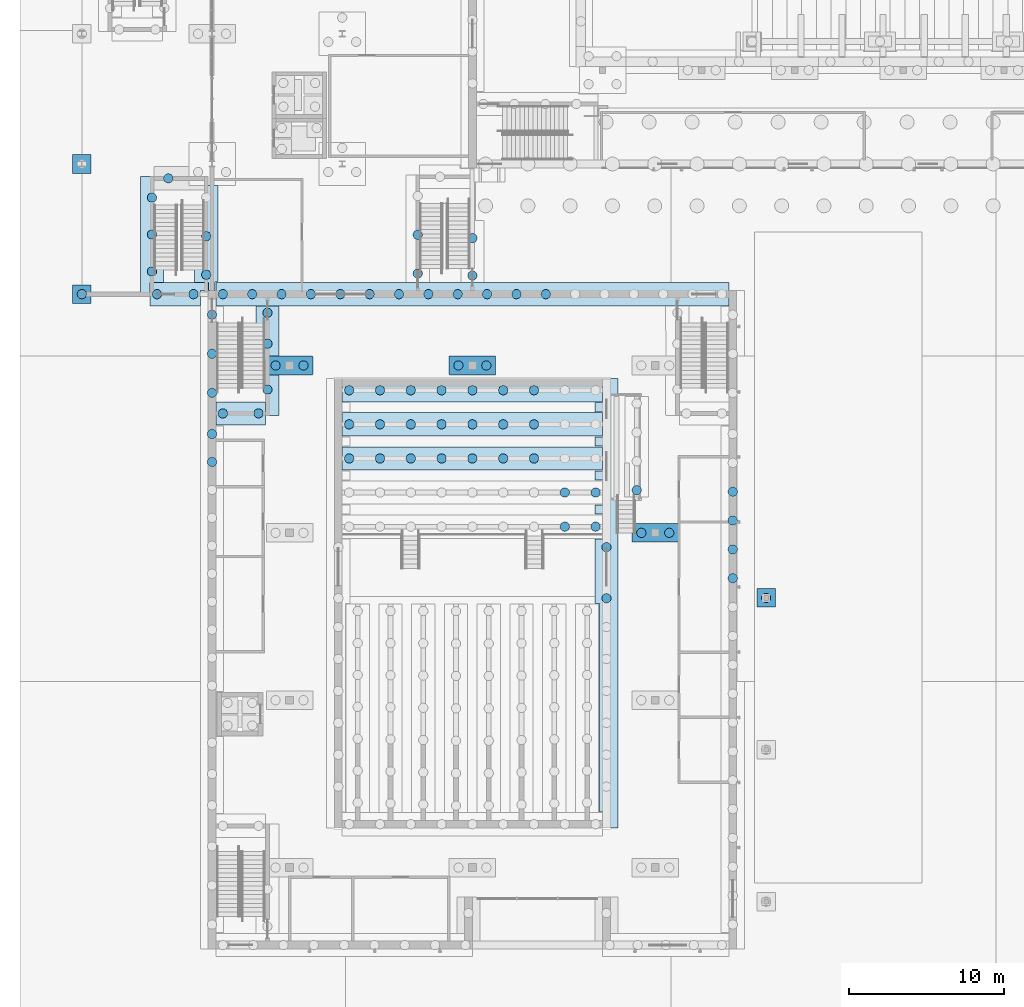
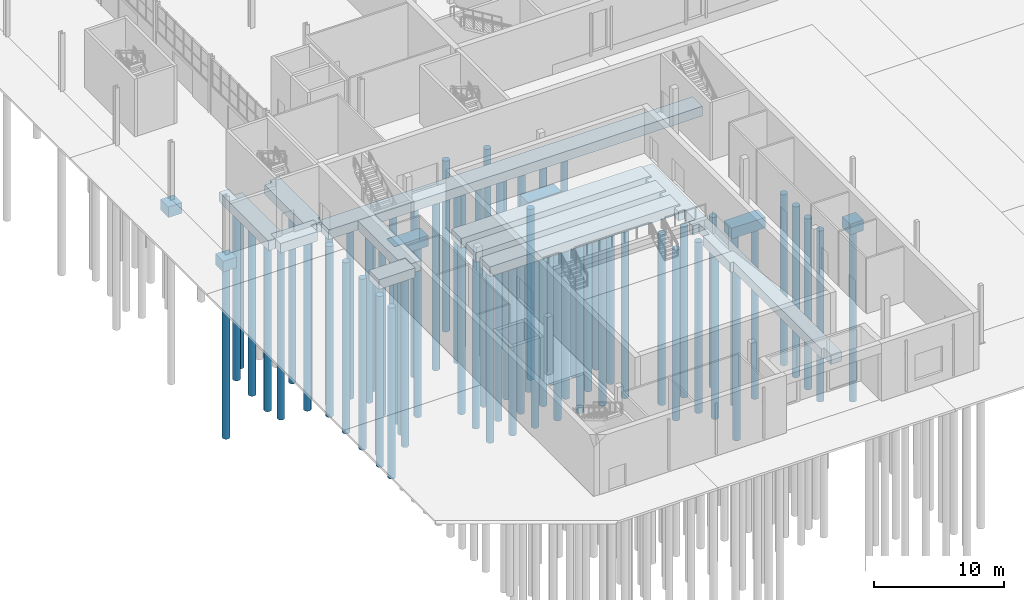
# One storey, part 3 of 127: 74 piles, 16 footings.
"""IFC4 building model written with IfcOpenShell, lengths in metres."""

from ifc_helpers import new_model, si_unit, direction, frame, origin, origin_2d, place, context, subcontext, project, spatial, polyline, circle, outline, extrude, material, layer, layer_set, material_profile, profile_set, type_object, element, save


model = new_model("IFC4")

# Units and contexts
model_context = context("Model", 3, precision=1e-05, world=origin(), true_north=direction((0.0, 1.0)))
body_context = subcontext(model_context, "Body", "Model", "MODEL_VIEW")
ifc_project = project(units=[si_unit("LENGTHUNIT", "METRE"), si_unit("AREAUNIT", "SQUARE_METRE"), si_unit("VOLUMEUNIT", "CUBIC_METRE"), si_unit("PLANEANGLEUNIT", "RADIAN"), si_unit("MASSUNIT", "GRAM", prefix="KILO")], contexts=[model_context])

# Site, building, storey
site_placement = place(None, origin())
site = spatial("IfcSite", under=ifc_project, at=site_placement, CompositionType="ELEMENT")
building_placement = place(site_placement, origin())
building = spatial("IfcBuilding", under=site, at=building_placement, Name="Ljudholm Concert House", CompositionType="ELEMENT")
storey_placement = place(building_placement, origin())
storey = spatial("IfcBuildingStorey", under=building, at=storey_placement, Name="L00", CompositionType="ELEMENT", Elevation=0.0)

# Piles
ifc_material_1 = material(Name="Concrete 5,000 psi", Category="concrete")
ifc_material_profile = material_profile(ifc_material_1, circle(Radius=0.300048828125, at=origin_2d()), Name="AUGER-CAST PILE D600")
ifc_profile_set = profile_set([ifc_material_profile], Name="Concrete 5,000 psi")
pile_type = type_object("IfcPileType", Name="AUGER-CAST PILE D600", PredefinedType="BORED", material=ifc_profile_set)
for number, where, z_axis, x_axis, name in (
    (1, (4.0, 46.0, -1.199951171875), (0.0, 0.0, -1.0), (1.0, 0.0, 0.0), "Pile D600"),
    (2, (16.5, 41.39990234375, -1.409912109375), (0.0, 0.0, -1.0), (1.0, 0.0, 0.0), "Pile D600"),
    (3, (18.300048828125, 41.39990234375, -1.409912109375), (0.0, 0.0, -1.0), (1.0, 0.0, 0.0), "Pile D600"),
    (4, (28.300048828125, 41.39990234375, -1.409912109375), (0.0, 0.0, -1.0), (1.0, 0.0, 0.0), "Pile D600"),
    (5, (30.10009765625, 41.39990234375, -1.409912109375), (0.0, 0.0, -1.0), (1.0, 0.0, 0.0), "Pile D600"),
    (6, (40.10009765625, 30.60009765625, -1.409912109375), (0.0, 0.0, -1.0), (1.0, 0.0, 0.0), "Pile D600"),
    (7, (41.89990234375, 30.60009765625, -1.409912109375), (0.0, 0.0, -1.0), (1.0, 0.0, 0.0), "Pile D600"),
    (8, (48.14990234375, 26.39990234375, -1.300048828125), (0.0, 0.0, -1.0), (1.0, 0.0, 0.0), "Pile D600"),
    (9, (13.10009765625, 38.304931640625, -1.31005859375), (0.0, 0.0, -1.0), (1.0, 0.0, 0.0), "Pile D600"),
    (10, (15.39990234375, 38.304931640625, -1.31005859375), (0.0, 0.0, -1.0), (1.0, 0.0, 0.0), "Pile D600"),
    (11, (35.16259765625, 31.0, -1.31005859375), (0.0, 0.0, -1.0), (1.0, 0.0, 0.0), "Pile D600"),
    (12, (37.14990234375, 31.0, -1.31005859375), (0.0, 0.0, -1.0), (1.0, 0.0, 0.0), "Pile D600"),
    (13, (35.16259765625, 33.199951171875, -1.199951171875), (0.0, 0.0, -1.0), (1.0, 0.0, 0.0), "Pile D600"),
    (14, (37.14990234375, 33.199951171875, -1.199951171875), (0.0, 0.0, -1.0), (1.0, 0.0, 0.0), "Pile D600"),
    (15, (21.25, 35.39990234375, -1.199951171875), (0.0, 0.0, -1.0), (1.0, 0.0, 0.0), "Pile D600"),
    (16, (23.237548828125, 35.39990234375, -1.199951171875), (0.0, 0.0, -1.0), (1.0, 0.0, 0.0), "Pile D600"),
    (17, (25.22509765625, 35.39990234375, -1.199951171875), (0.0, 0.0, -1.0), (1.0, 0.0, 0.0), "Pile D600"),
    (18, (27.21240234375, 35.39990234375, -1.199951171875), (0.0, 0.0, -1.0), (1.0, 0.0, 0.0), "Pile D600"),
    (19, (29.199951171875, 35.39990234375, -1.199951171875), (0.0, 0.0, -1.0), (1.0, 0.0, 0.0), "Pile D600"),
    (20, (31.1875, 35.39990234375, -1.199951171875), (0.0, 0.0, -1.0), (1.0, 0.0, 0.0), "Pile D600"),
    (21, (33.175048828125, 35.39990234375, -1.199951171875), (0.0, 0.0, -1.0), (1.0, 0.0, 0.0), "Pile D600"),
    (22, (21.25, 37.60009765625, -1.199951171875), (0.0, 0.0, -1.0), (1.0, 0.0, 0.0), "Pile D600"),
    (23, (23.237548828125, 37.60009765625, -1.199951171875), (0.0, 0.0, -1.0), (1.0, 0.0, 0.0), "Pile D600"),
    (24, (25.22509765625, 37.60009765625, -1.199951171875), (0.0, 0.0, -1.0), (1.0, 0.0, 0.0), "Pile D600"),
    (25, (27.21240234375, 37.60009765625, -1.199951171875), (0.0, 0.0, -1.0), (1.0, 0.0, 0.0), "Pile D600"),
    (26, (29.199951171875, 37.60009765625, -1.199951171875), (0.0, 0.0, -1.0), (1.0, 0.0, 0.0), "Pile D600"),
    (27, (31.1875, 37.60009765625, -1.199951171875), (0.0, 0.0, -1.0), (1.0, 0.0, 0.0), "Pile D600"),
    (28, (33.175048828125, 37.60009765625, -1.199951171875), (0.0, 0.0, -1.0), (1.0, 0.0, 0.0), "Pile D600"),
    (29, (21.25, 39.800048828125, -1.199951171875), (0.0, 0.0, -1.0), (1.0, 0.0, 0.0), "Pile D600"),
    (30, (23.237548828125, 39.800048828125, -1.199951171875), (0.0, 0.0, -1.0), (1.0, 0.0, 0.0), "Pile D600"),
    (31, (25.22509765625, 39.800048828125, -1.199951171875), (0.0, 0.0, -1.0), (1.0, 0.0, 0.0), "Pile D600"),
    (32, (27.21240234375, 39.800048828125, -1.199951171875), (0.0, 0.0, -1.0), (1.0, 0.0, 0.0), "Pile D600"),
    (33, (29.199951171875, 39.800048828125, -1.199951171875), (0.0, 0.0, -1.0), (1.0, 0.0, 0.0), "Pile D600"),
    (34, (31.1875, 39.800048828125, -1.199951171875), (0.0, 0.0, -1.0), (1.0, 0.0, 0.0), "Pile D600"),
    (35, (33.175048828125, 39.800048828125, -1.199951171875), (0.0, 0.0, -1.0), (1.0, 0.0, 0.0), "Pile D600"),
    (36, (13.10009765625, 46.0, -1.31005859375), (0.0, 0.0, -1.0), (1.0, 0.0, 0.0), "Pile D600"),
    (37, (14.994140625, 46.0, -1.31005859375), (0.0, 0.0, -1.0), (1.0, 0.0, 0.0), "Pile D600"),
    (38, (16.88818359375, 46.0, -1.31005859375), (0.0, 0.0, -1.0), (1.0, 0.0, 0.0), "Pile D600"),
    (39, (18.782470703125, 46.0, -1.31005859375), (0.0, 0.0, -1.0), (1.0, 0.0, 0.0), "Pile D600"),
    (40, (20.676513671875, 46.0, -1.31005859375), (0.0, 0.0, -1.0), (1.0, 0.0, 0.0), "Pile D600"),
    (41, (22.570556640625, 46.0, -1.31005859375), (0.0, 0.0, -1.0), (1.0, 0.0, 0.0), "Pile D600"),
    (42, (24.464599609375, 46.0, -1.31005859375), (0.0, 0.0, -1.0), (1.0, 0.0, 0.0), "Pile D600"),
    (43, (26.35888671875, 46.0, -1.31005859375), (0.0, 0.0, -1.0), (1.0, 0.0, 0.0), "Pile D600"),
    (44, (28.2529296875, 46.0, -1.31005859375), (0.0, 0.0, -1.0), (1.0, 0.0, 0.0), "Pile D600"),
    (45, (30.14697265625, 46.0, -1.31005859375), (0.0, 0.0, -1.0), (1.0, 0.0, 0.0), "Pile D600"),
    (46, (32.041259765625, 46.0, -1.31005859375), (0.0, 0.0, -1.0), (1.0, 0.0, 0.0), "Pile D600"),
    (47, (33.935302734375, 46.0, -1.31005859375), (0.0, 0.0, -1.0), (1.0, 0.0, 0.0), "Pile D600"),
    (48, (15.97509765625, 39.8427734375, -1.31005859375), (0.0, 0.0, -1.0), (1.0, 0.0, 0.0), "Pile D600"),
    (49, (15.97509765625, 42.8046875, -1.31005859375), (0.0, 0.0, -1.0), (1.0, 0.0, 0.0), "Pile D600"),
    (50, (15.97509765625, 44.800048828125, -1.31005859375), (0.0, 0.0, -1.0), (1.0, 0.0, 0.0), "Pile D600"),
    (51, (39.800048828125, 33.35009765625, -1.31005859375), (0.0, 0.0, -1.0), (1.0, 0.0, 0.0), "Pile D600"),
    (52, (37.85009765625, 26.37890625, -1.31005859375), (0.0, 0.0, -1.0), (1.0, 0.0, 0.0), "Pile D600"),
    (53, (37.85009765625, 29.673583984375, -1.31005859375), (0.0, 0.0, -1.0), (1.0, 0.0, 0.0), "Pile D600"),
    (54, (46.0, 27.669189453125, -1.31005859375), (0.0, 0.0, -1.0), (1.0, 0.0, 0.0), "Pile D600"),
    (55, (46.0, 29.531005859375, -1.31005859375), (0.0, 0.0, -1.0), (1.0, 0.0, 0.0), "Pile D600"),
    (56, (46.0, 31.392822265625, -1.31005859375), (0.0, 0.0, -1.0), (1.0, 0.0, 0.0), "Pile D600"),
    (57, (46.0, 33.2548828125, -1.31005859375), (0.0, 0.0, -1.0), (1.0, 0.0, 0.0), "Pile D600"),
    (58, (12.39990234375, 35.174560546875, -1.31005859375), (0.0, 0.0, -1.0), (1.0, 0.0, 0.0), "Pile D600"),
    (59, (12.39990234375, 36.978515625, -1.31005859375), (0.0, 0.0, -1.0), (1.0, 0.0, 0.0), "Pile D600"),
    (60, (12.39990234375, 39.63134765625, -1.31005859375), (0.0, 0.0, -1.0), (1.0, 0.0, 0.0), "Pile D600"),
    (61, (12.39990234375, 42.152587890625, -1.31005859375), (0.0, 0.0, -1.0), (1.0, 0.0, 0.0), "Pile D600"),
    (62, (12.39990234375, 44.673583984375, -1.31005859375), (0.0, 0.0, -1.0), (1.0, 0.0, 0.0), "Pile D600"),
    (63, (9.578125, 53.47509765625, -1.10009765625), (0.0, 0.0, -1.0), (1.0, 0.0, 0.0), "Pile D600"),
    (64, (8.85009765625, 46.0, -1.10009765625), (0.0, 0.0, -1.0), (1.0, 0.0, 0.0), "Pile D600"),
    (65, (11.199951171875, 46.0, -1.10009765625), (0.0, 0.0, -1.0), (1.0, 0.0, 0.0), "Pile D600"),
    (66, (29.199951171875, 47.199951171875, -1.10009765625), (0.0, 0.0, -1.0), (1.0, 0.0, 0.0), "Pile D600"),
    (67, (29.199951171875, 49.616943359375, -1.10009765625), (0.0, 0.0, -1.0), (1.0, 0.0, 0.0), "Pile D600"),
    (68, (12.02490234375, 47.25244140625, -1.10009765625), (0.0, 0.0, -1.0), (1.0, 0.0, 0.0), "Pile D600"),
    (69, (12.02490234375, 49.7421875, -1.10009765625), (0.0, 0.0, -1.0), (1.0, 0.0, 0.0), "Pile D600"),
    (70, (8.52490234375, 47.4638671875, -1.10009765625), (0.0, 0.0, -1.0), (1.0, 0.0, 0.0), "Pile D600"),
    (71, (8.52490234375, 49.847900390625, -1.10009765625), (0.0, 0.0, -1.0), (1.0, 0.0, 0.0), "Pile D600"),
    (72, (8.52490234375, 52.231689453125, -1.10009765625), (0.0, 0.0, -1.0), (1.0, 0.0, 0.0), "Pile D600"),
    (73, (25.675048828125, 47.334716796875, -1.10009765625), (0.0, 0.0, -1.0), (1.0, 0.0, 0.0), "Pile D600"),
    (74, (25.675048828125, 49.833251953125, -1.10009765625), (0.0, 0.0, -1.0), (1.0, 0.0, 0.0), "Pile D600"),
):
    element("IfcPile", number, at=place(storey_placement, frame(where, z_axis=z_axis, x_axis=x_axis)), inside=storey, type_object=pile_type, Name=name, PredefinedType="BORED", context=body_context, shape_type="SweptSolid", body=[
        extrude(circle(Radius=0.300048828125, at=origin_2d()), origin(), (0.0, 0.0, 1.0), 16.0),
    ])

# Footings
ifc_material_2 = material(Name="Concrete 5,000 psi", Category="concrete")
ifc_layer_1 = layer(ifc_material_2, 1.0)
ifc_layer_set_1 = layer_set([ifc_layer_1], Name="Concrete 5,000 psi")
footing_type_1 = type_object("IfcFootingType", Name="RC PILE CAP 1200x1200x1000", PredefinedType="PILE_CAP", material=ifc_layer_set_1)
footing_1_placement = place(storey_placement, frame((0.0, 0.0, -1.199951171875)))
element("IfcFooting", 75, at=footing_1_placement, inside=storey, type_object=footing_type_1, Name="Pile cap", PredefinedType="PILE_CAP", context=body_context, shape_type="SweptSolid", body=[
    extrude(outline(polyline([(3.409912109375, 45.39990234375), (4.590087890625, 45.39990234375), (4.59375, 45.40087890625), (4.59716796875, 45.40283203125), (4.59912109375, 45.40625), (4.60009765625, 45.409912109375), (4.60009765625, 46.590087890625), (4.59912109375, 46.59375), (4.59716796875, 46.59716796875), (4.59375, 46.59912109375), (4.590087890625, 46.60009765625), (3.409912109375, 46.60009765625), (3.40625, 46.59912109375), (3.40283203125, 46.59716796875), (3.40087890625, 46.59375), (3.39990234375, 46.590087890625), (3.39990234375, 45.409912109375), (3.40087890625, 45.40625), (3.40283203125, 45.40283203125), (3.40625, 45.40087890625), (3.409912109375, 45.39990234375)])), origin(), (0.0, 0.0, 1.0), 1.0),
])
footing_2_placement = place(storey_placement, frame((0.0, 0.0, -1.199951171875)))
element("IfcFooting", 76, at=footing_2_placement, inside=storey, type_object=footing_type_1, Name="Pile cap", PredefinedType="PILE_CAP", context=body_context, shape_type="SweptSolid", body=[
    extrude(outline(polyline([(3.409912109375, 53.800048828125), (4.590087890625, 53.800048828125), (4.59375, 53.80078125), (4.59716796875, 53.802978515625), (4.59912109375, 53.80615234375), (4.60009765625, 53.81005859375), (4.60009765625, 54.989990234375), (4.59912109375, 54.993896484375), (4.59716796875, 54.9970703125), (4.59375, 54.999267578125), (4.590087890625, 55.0), (3.409912109375, 55.0), (3.40625, 54.999267578125), (3.40283203125, 54.9970703125), (3.40087890625, 54.993896484375), (3.39990234375, 54.989990234375), (3.39990234375, 53.81005859375), (3.40087890625, 53.80615234375), (3.40283203125, 53.802978515625), (3.40625, 53.80078125), (3.409912109375, 53.800048828125)])), origin(), (0.0, 0.0, 1.0), 1.0),
])
footing_3_placement = place(storey_placement, frame((0.0, 0.0, -1.300048828125)))
element("IfcFooting", 77, at=footing_3_placement, inside=storey, type_object=footing_type_1, Name="Pile cap", PredefinedType="PILE_CAP", context=body_context, shape_type="SweptSolid", body=[
    extrude(outline(polyline([(47.550048828125, 26.989990234375), (47.550048828125, 25.81005859375), (47.55078125, 25.80615234375), (47.552978515625, 25.802978515625), (47.55615234375, 25.80078125), (47.56005859375, 25.800048828125), (48.739990234375, 25.800048828125), (48.743896484375, 25.80078125), (48.7470703125, 25.802978515625), (48.749267578125, 25.80615234375), (48.75, 25.81005859375), (48.75, 26.989990234375), (48.749267578125, 26.993896484375), (48.7470703125, 26.9970703125), (48.743896484375, 26.999267578125), (48.739990234375, 27.0), (47.56005859375, 27.0), (47.55615234375, 26.999267578125), (47.552978515625, 26.9970703125), (47.55078125, 26.993896484375), (47.550048828125, 26.989990234375)])), origin(), (0.0, 0.0, 1.0), 1.0),
])
ifc_material_3 = material(Name="Concrete 5,000 psi", Category="concrete")
ifc_layer_2 = layer(ifc_material_3, 1.0)
ifc_layer_set_2 = layer_set([ifc_layer_2], Name="Concrete 5,000 psi")
footing_type_2 = type_object("IfcFootingType", Name="RC PILE CAP 3000x1200x1000", PredefinedType="PILE_CAP", material=ifc_layer_set_2)
footing_4_placement = place(storey_placement, frame((0.0, 0.0, -1.409912109375)))
element("IfcFooting", 78, at=footing_4_placement, inside=storey, type_object=footing_type_2, Name="Pile cap", PredefinedType="PILE_CAP", context=body_context, shape_type="SweptSolid", body=[
    extrude(outline(polyline([(15.89990234375, 41.989990234375), (15.89990234375, 40.81005859375), (15.901611328125, 40.804443359375), (15.90625, 40.80078125), (15.909912109375, 40.800048828125), (18.889892578125, 40.800048828125), (18.8955078125, 40.8017578125), (18.899169921875, 40.80615234375), (18.89990234375, 40.81005859375), (18.89990234375, 41.989990234375), (18.898193359375, 41.99560546875), (18.893798828125, 41.999267578125), (18.889892578125, 42.0), (15.909912109375, 42.0), (15.90625, 41.999267578125), (15.90283203125, 41.9970703125), (15.90087890625, 41.993896484375), (15.89990234375, 41.989990234375)])), origin(), (0.0, 0.0, 1.0), 1.0),
])
footing_5_placement = place(storey_placement, frame((0.0, 0.0, -1.409912109375)))
element("IfcFooting", 79, at=footing_5_placement, inside=storey, type_object=footing_type_2, Name="Pile cap", PredefinedType="PILE_CAP", context=body_context, shape_type="SweptSolid", body=[
    extrude(outline(polyline([(27.699951171875, 41.989990234375), (27.699951171875, 40.81005859375), (27.70166015625, 40.804443359375), (27.7060546875, 40.80078125), (27.7099609375, 40.800048828125), (30.68994140625, 40.800048828125), (30.695556640625, 40.8017578125), (30.69921875, 40.80615234375), (30.699951171875, 40.81005859375), (30.699951171875, 41.989990234375), (30.6982421875, 41.99560546875), (30.69384765625, 41.999267578125), (30.68994140625, 42.0), (27.7099609375, 42.0), (27.7060546875, 41.999267578125), (27.702880859375, 41.9970703125), (27.70068359375, 41.993896484375), (27.699951171875, 41.989990234375)])), origin(), (0.0, 0.0, 1.0), 1.0),
])
footing_6_placement = place(storey_placement, frame((0.0, 0.0, -1.409912109375)))
element("IfcFooting", 80, at=footing_6_placement, inside=storey, type_object=footing_type_2, Name="Pile cap", PredefinedType="PILE_CAP", context=body_context, shape_type="SweptSolid", body=[
    extrude(outline(polyline([(39.510009765625, 30.0), (42.489990234375, 30.0), (42.493896484375, 30.000732421875), (42.498291015625, 30.00439453125), (42.5, 30.010009765625), (42.5, 31.18994140625), (42.499267578125, 31.19384765625), (42.49560546875, 31.1982421875), (42.489990234375, 31.199951171875), (39.510009765625, 31.199951171875), (39.506103515625, 31.19921875), (39.501708984375, 31.195556640625), (39.5, 31.18994140625), (39.5, 30.010009765625), (39.500732421875, 30.006103515625), (39.5029296875, 30.0029296875), (39.506103515625, 30.000732421875), (39.510009765625, 30.0)])), origin(), (0.0, 0.0, 1.0), 1.0),
])
ifc_material_4 = material(Name="Concrete 5,000 psi", Category="concrete")
ifc_layer_3 = layer(ifc_material_4, 0.89990234375)
ifc_layer_set_3 = layer_set([ifc_layer_3], Name="Concrete 5,000 psi")
footing_type_3 = type_object("IfcFootingType", Name="RC STRIP FOOTING 1500x900", PredefinedType="STRIP_FOOTING", material=ifc_layer_set_3)
footing_7_placement = place(storey_placement, frame((0.0, 0.0, -1.31005859375)))
element("IfcFooting", 81, at=footing_7_placement, inside=storey, type_object=footing_type_3, Name="Strip footing", PredefinedType="STRIP_FOOTING", context=body_context, shape_type="SweptSolid", body=[
    extrude(outline(polyline([(12.659912109375, 37.554931640625), (15.840087890625, 37.554931640625), (15.84375, 37.5556640625), (15.848388671875, 37.559326171875), (15.85009765625, 37.56494140625), (15.85009765625, 39.044921875), (15.84912109375, 39.048828125), (15.845458984375, 39.05322265625), (15.840087890625, 39.054931640625), (12.659912109375, 39.054931640625), (12.65625, 39.05419921875), (12.651611328125, 39.050537109375), (12.64990234375, 39.044921875), (12.64990234375, 37.56494140625), (12.65087890625, 37.561279296875), (12.65283203125, 37.557861328125), (12.65625, 37.5556640625), (12.659912109375, 37.554931640625)])), origin(), (0.0, 0.0, 1.0), 0.900146484375),
])
footing_8_placement = place(storey_placement, frame((0.0, 0.0, -1.199951171875)))
element("IfcFooting", 82, at=footing_8_placement, inside=storey, type_object=footing_type_3, Name="Strip footing", PredefinedType="STRIP_FOOTING", context=body_context, shape_type="SweptSolid", body=[
    extrude(outline(polyline([(20.81005859375, 34.64990234375), (37.591064453125, 34.650146484375), (37.5947265625, 34.651123046875), (37.59765625, 34.653564453125), (37.599609375, 34.656982421875), (37.60009765625, 34.659912109375), (37.599853515625, 36.140869140625), (37.598876953125, 36.144775390625), (37.596435546875, 36.147705078125), (37.593017578125, 36.149658203125), (37.590087890625, 36.14990234375), (20.80908203125, 36.14990234375), (20.80517578125, 36.14892578125), (20.80224609375, 36.146240234375), (20.80078125, 36.143798828125), (20.800048828125, 36.139892578125), (20.800048828125, 34.659912109375), (20.80078125, 34.65625), (20.802978515625, 34.65283203125), (20.80615234375, 34.65087890625), (20.81005859375, 34.64990234375)])), origin(), (0.0, 0.0, 1.0), 0.89990234375),
])
footing_9_placement = place(storey_placement, frame((0.0, 0.0, -1.199951171875)))
element("IfcFooting", 83, at=footing_9_placement, inside=storey, type_object=footing_type_3, Name="Strip footing", PredefinedType="STRIP_FOOTING", context=body_context, shape_type="SweptSolid", body=[
    extrude(outline(polyline([(20.81005859375, 36.85009765625), (37.591064453125, 36.85009765625), (37.5947265625, 36.85107421875), (37.59765625, 36.853759765625), (37.599609375, 36.857177734375), (37.60009765625, 36.860107421875), (37.599853515625, 38.341064453125), (37.598876953125, 38.3447265625), (37.596435546875, 38.34765625), (37.593017578125, 38.349609375), (37.590087890625, 38.35009765625), (20.80908203125, 38.349853515625), (20.80517578125, 38.348876953125), (20.80224609375, 38.346435546875), (20.80078125, 38.34375), (20.800048828125, 38.340087890625), (20.800048828125, 36.860107421875), (20.80078125, 36.856201171875), (20.802978515625, 36.85302734375), (20.80615234375, 36.850830078125), (20.81005859375, 36.85009765625)])), origin(), (0.0, 0.0, 1.0), 0.89990234375),
])
footing_10_placement = place(storey_placement, frame((0.0, 0.0, -1.199951171875)))
element("IfcFooting", 84, at=footing_10_placement, inside=storey, type_object=footing_type_3, Name="Strip footing", PredefinedType="STRIP_FOOTING", context=body_context, shape_type="SweptSolid", body=[
    extrude(outline(polyline([(20.81005859375, 39.050048828125), (37.591064453125, 39.050048828125), (37.5947265625, 39.05126953125), (37.59765625, 39.0537109375), (37.599609375, 39.05712890625), (37.60009765625, 39.06005859375), (37.599853515625, 40.541015625), (37.598876953125, 40.544677734375), (37.596435546875, 40.5478515625), (37.593017578125, 40.549560546875), (37.590087890625, 40.550048828125), (20.80908203125, 40.550048828125), (20.80517578125, 40.548828125), (20.80224609375, 40.54638671875), (20.80078125, 40.5439453125), (20.800048828125, 40.5400390625), (20.800048828125, 39.06005859375), (20.80078125, 39.05615234375), (20.802978515625, 39.052978515625), (20.80615234375, 39.05078125), (20.81005859375, 39.050048828125)])), origin(), (0.0, 0.0, 1.0), 0.89990234375),
])
footing_11_placement = place(storey_placement, frame((0.0, 0.0, -1.31005859375)))
element("IfcFooting", 85, at=footing_11_placement, inside=storey, type_object=footing_type_3, Name="Strip footing", PredefinedType="STRIP_FOOTING", context=body_context, shape_type="SweptSolid", body=[
    extrude(outline(polyline([(12.659912109375, 45.25), (45.739990234375, 45.25), (45.743896484375, 45.250732421875), (45.7470703125, 45.2529296875), (45.749267578125, 45.256103515625), (45.75, 45.260009765625), (45.75, 46.739990234375), (45.749267578125, 46.743896484375), (45.7470703125, 46.7470703125), (45.743896484375, 46.749267578125), (45.739990234375, 46.75), (12.659912109375, 46.75), (12.65625, 46.749267578125), (12.65283203125, 46.7470703125), (12.65087890625, 46.743896484375), (12.64990234375, 46.739990234375), (12.64990234375, 45.260009765625), (12.65087890625, 45.256103515625), (12.65283203125, 45.2529296875), (12.65625, 45.250732421875), (12.659912109375, 45.25)])), origin(), (0.0, 0.0, 1.0), 0.900146484375),
])
footing_12_placement = place(storey_placement, frame((0.0, 0.0, -1.31005859375)))
element("IfcFooting", 86, at=footing_12_placement, inside=storey, type_object=footing_type_3, Name="Strip footing", PredefinedType="STRIP_FOOTING", context=body_context, shape_type="SweptSolid", body=[
    extrude(outline(polyline([(15.235107421875, 39.10498046875), (15.8896484375, 39.10498046875), (15.894775390625, 39.103759765625), (15.898193359375, 39.1005859375), (15.89990234375, 39.0947265625), (15.89990234375, 38.18994140625), (15.901123046875, 38.185302734375), (15.904541015625, 38.181640625), (15.909912109375, 38.179931640625), (16.715087890625, 38.179931640625), (16.7197265625, 38.18115234375), (16.723388671875, 38.184326171875), (16.72509765625, 38.18994140625), (16.724609375, 40.79296875), (16.721435546875, 40.7978515625), (16.718017578125, 40.799560546875), (16.715087890625, 40.800048828125), (15.91015625, 40.800048828125), (15.90625, 40.80078125), (15.90283203125, 40.802978515625), (15.90087890625, 40.80615234375), (15.89990234375, 40.810302734375), (15.89990234375, 41.98974609375), (15.901611328125, 41.99560546875), (15.9052734375, 41.998779296875), (15.91015625, 42.0), (16.715087890625, 42.0), (16.718017578125, 42.00048828125), (16.721435546875, 42.002197265625), (16.723388671875, 42.00439453125), (16.724853515625, 42.008056640625), (16.72509765625, 45.239990234375), (16.72412109375, 45.243896484375), (16.72265625, 45.246337890625), (16.7197265625, 45.248779296875), (16.717041015625, 45.249755859375), (15.235107421875, 45.25), (15.232177734375, 45.24951171875), (15.228759765625, 45.247802734375), (15.226806640625, 45.24560546875), (15.22509765625, 45.241943359375), (15.22509765625, 39.114990234375), (15.225830078125, 39.111083984375), (15.22802734375, 39.10791015625), (15.231201171875, 39.105712890625), (15.235107421875, 39.10498046875)])), origin(), (0.0, 0.0, 1.0), 0.900146484375),
])
footing_13_placement = place(storey_placement, frame((0.0, 0.0, -1.31005859375)))
element("IfcFooting", 87, at=footing_13_placement, inside=storey, type_object=footing_type_3, Name="Strip footing", PredefinedType="STRIP_FOOTING", context=body_context, shape_type="SweptSolid", body=[
    extrude(outline(polyline([(37.10009765625, 32.389892578125), (37.10009765625, 31.81005859375), (37.100830078125, 31.80615234375), (37.10302734375, 31.802978515625), (37.106201171875, 31.80078125), (37.110107421875, 31.800048828125), (37.6396484375, 31.800048828125), (37.643798828125, 31.79931640625), (37.64697265625, 31.797119140625), (37.649169921875, 31.793701171875), (37.64990234375, 31.789794921875), (37.649658203125, 30.20703125), (37.647705078125, 30.20361328125), (37.6455078125, 30.20166015625), (37.6396484375, 30.199951171875), (37.110107421875, 30.199951171875), (37.106201171875, 30.19921875), (37.10302734375, 30.197021484375), (37.100830078125, 30.19384765625), (37.10009765625, 30.18994140625), (37.10009765625, 26.05908203125), (37.10107421875, 26.05517578125), (37.103759765625, 26.05224609375), (37.106201171875, 26.05078125), (37.110107421875, 26.050048828125), (37.390869140625, 26.050048828125), (37.394775390625, 26.048828125), (37.397705078125, 26.04638671875), (37.399658203125, 26.04296875), (37.39990234375, 26.039794921875), (37.400146484375, 12.609130859375), (37.40087890625, 12.606201171875), (37.40283203125, 12.60302734375), (37.4052734375, 12.60107421875), (37.408935546875, 12.60009765625), (37.6396484375, 12.60009765625), (37.642822265625, 12.599609375), (37.646240234375, 12.59765625), (37.64892578125, 12.5947265625), (37.64990234375, 12.592041015625), (37.64990234375, 11.56005859375), (37.65087890625, 11.55615234375), (37.653564453125, 11.55224609375), (37.65625, 11.55078125), (37.659912109375, 11.550048828125), (38.591064453125, 11.550048828125), (38.5947265625, 11.55126953125), (38.59765625, 11.5537109375), (38.599609375, 11.55712890625), (38.60009765625, 11.56005859375), (38.60009765625, 40.5400390625), (38.599609375, 40.54296875), (38.59765625, 40.54638671875), (38.595458984375, 40.54833984375), (38.592041015625, 40.5498046875), (37.659912109375, 40.550048828125), (37.65625, 40.54931640625), (37.65283203125, 40.547119140625), (37.65087890625, 40.5439453125), (37.64990234375, 40.5400390625), (37.649658203125, 39.007080078125), (37.648193359375, 39.00439453125), (37.6455078125, 39.001708984375), (37.6396484375, 39.0), (37.110107421875, 39.0), (37.107177734375, 38.99951171875), (37.103759765625, 38.997802734375), (37.101806640625, 38.99560546875), (37.10009765625, 38.991943359375), (37.10009765625, 38.409912109375), (37.100830078125, 38.40625), (37.10302734375, 38.40283203125), (37.106201171875, 38.40087890625), (37.110107421875, 38.39990234375), (37.6396484375, 38.39990234375), (37.642822265625, 38.399658203125), (37.646240234375, 38.397705078125), (37.64892578125, 38.394775390625), (37.64990234375, 38.390869140625), (37.649658203125, 36.80712890625), (37.648193359375, 36.804443359375), (37.6455078125, 36.8017578125), (37.6396484375, 36.800048828125), (37.110107421875, 36.800048828125), (37.106201171875, 36.79931640625), (37.10302734375, 36.797119140625), (37.100830078125, 36.7939453125), (37.10009765625, 36.7900390625), (37.10009765625, 36.2099609375), (37.100830078125, 36.2060546875), (37.10302734375, 36.202880859375), (37.106201171875, 36.20068359375), (37.110107421875, 36.199951171875), (37.6396484375, 36.199951171875), (37.6455078125, 36.1982421875), (37.648193359375, 36.195556640625), (37.649658203125, 36.19287109375), (37.64990234375, 34.609130859375), (37.64892578125, 34.605224609375), (37.646240234375, 34.602294921875), (37.642822265625, 34.600341796875), (37.6396484375, 34.60009765625), (37.110107421875, 34.60009765625), (37.106201171875, 34.59912109375), (37.10302734375, 34.59716796875), (37.100830078125, 34.59375), (37.10009765625, 34.590087890625), (37.10009765625, 34.010009765625), (37.100830078125, 34.006103515625), (37.10302734375, 34.0029296875), (37.106201171875, 34.000732421875), (37.110107421875, 34.0), (37.6396484375, 34.0), (37.6455078125, 33.998291015625), (37.648193359375, 33.99560546875), (37.649658203125, 33.992919921875), (37.64990234375, 32.41015625), (37.649169921875, 32.40625), (37.64697265625, 32.40283203125), (37.643798828125, 32.40087890625), (37.6396484375, 32.39990234375), (37.110107421875, 32.39990234375), (37.106201171875, 32.399169921875), (37.10302734375, 32.39697265625), (37.100830078125, 32.393798828125), (37.10009765625, 32.389892578125)])), origin(), (0.0, 0.0, 1.0), 0.900146484375),
])
footing_14_placement = place(storey_placement, frame((0.0, 0.0, -1.10009765625)))
element("IfcFooting", 88, at=footing_14_placement, inside=storey, type_object=footing_type_3, Name="Strip footing", PredefinedType="STRIP_FOOTING", context=body_context, shape_type="SweptSolid", body=[
    extrude(outline(polyline([(8.409912109375, 45.25), (11.639892578125, 45.25), (11.643798828125, 45.250732421875), (11.648193359375, 45.25439453125), (11.64990234375, 45.260009765625), (11.64990234375, 46.23876953125), (11.650634765625, 46.24267578125), (11.65185546875, 46.245361328125), (11.654541015625, 46.248046875), (11.6611328125, 46.25), (12.1650390625, 46.25), (12.1689453125, 46.250732421875), (12.172119140625, 46.2529296875), (12.17431640625, 46.256103515625), (12.175048828125, 46.260009765625), (12.175048828125, 46.739990234375), (12.17431640625, 46.743896484375), (12.170654296875, 46.748291015625), (12.1650390625, 46.75), (8.409912109375, 46.75), (8.40625, 46.749267578125), (8.401611328125, 46.74560546875), (8.39990234375, 46.739990234375), (8.39990234375, 45.260009765625), (8.40087890625, 45.256103515625), (8.40283203125, 45.2529296875), (8.40625, 45.250732421875), (8.409912109375, 45.25)])), origin(), (0.0, 0.0, 1.0), 0.900146484375),
])
footing_15_placement = place(storey_placement, frame((0.0, 0.0, -1.10009765625)))
element("IfcFooting", 89, at=footing_15_placement, inside=storey, type_object=footing_type_3, Name="Strip footing", PredefinedType="STRIP_FOOTING", context=body_context, shape_type="SweptSolid", body=[
    extrude(outline(polyline([(11.284912109375, 46.75), (12.164794921875, 46.75), (12.168701171875, 46.749267578125), (12.17333984375, 46.74560546875), (12.175048828125, 46.73974609375), (12.175048828125, 46.260009765625), (12.17578125, 46.256103515625), (12.17724609375, 46.253662109375), (12.18115234375, 46.250732421875), (12.18505859375, 46.25), (12.590576171875, 46.25), (12.593505859375, 46.25048828125), (12.596923828125, 46.252685546875), (12.59912109375, 46.256103515625), (12.60009765625, 46.260009765625), (12.60009765625, 46.74365234375), (12.603515625, 46.762451171875), (12.616943359375, 46.782958984375), (12.6376953125, 46.79638671875), (12.65625, 46.800048828125), (12.765869140625, 46.800048828125), (12.771240234375, 46.80224609375), (12.773193359375, 46.804443359375), (12.77490234375, 46.80810546875), (12.77490234375, 52.989990234375), (12.774169921875, 52.993896484375), (12.772705078125, 52.996337890625), (12.769775390625, 52.998779296875), (12.766845703125, 52.999755859375), (11.9580078125, 52.999755859375), (11.955322265625, 52.998779296875), (11.9521484375, 52.996337890625), (11.95068359375, 52.993896484375), (11.949951171875, 52.989990234375), (11.949951171875, 52.685302734375), (11.94873046875, 52.68017578125), (11.94482421875, 52.67626953125), (11.939697265625, 52.675048828125), (11.284912109375, 52.675048828125), (11.281982421875, 52.674560546875), (11.278564453125, 52.6728515625), (11.276611328125, 52.670654296875), (11.275146484375, 52.6669921875), (11.27490234375, 46.760009765625), (11.27587890625, 46.756103515625), (11.27783203125, 46.7529296875), (11.28125, 46.750732421875), (11.284912109375, 46.75)])), origin(), (0.0, 0.0, 1.0), 0.900146484375),
])
footing_16_placement = place(storey_placement, frame((0.0, 0.0, -1.10009765625)))
element("IfcFooting", 90, at=footing_16_placement, inside=storey, type_object=footing_type_3, Name="Strip footing", PredefinedType="STRIP_FOOTING", context=body_context, shape_type="SweptSolid", body=[
    extrude(outline(polyline([(7.784912109375, 46.0), (8.389892578125, 46.0), (8.393798828125, 46.000732421875), (8.397705078125, 46.003662109375), (8.399169921875, 46.006103515625), (8.39990234375, 46.010009765625), (8.39990234375, 46.73974609375), (8.401123046875, 46.74462890625), (8.4052734375, 46.748779296875), (8.41015625, 46.75), (9.264892578125, 46.75), (9.267822265625, 46.75048828125), (9.271240234375, 46.752197265625), (9.27392578125, 46.75537109375), (9.27490234375, 46.759033203125), (9.27490234375, 52.666015625), (9.27392578125, 52.669677734375), (9.271240234375, 52.6728515625), (9.267822265625, 52.674560546875), (9.264892578125, 52.675048828125), (8.6103515625, 52.675048828125), (8.605224609375, 52.67626953125), (8.601806640625, 52.679443359375), (8.60009765625, 52.685302734375), (8.60009765625, 53.590087890625), (8.59912109375, 53.59375), (8.59765625, 53.596435546875), (8.5947265625, 53.598876953125), (8.591064453125, 53.599853515625), (7.784912109375, 53.60009765625), (7.781982421875, 53.599609375), (7.778564453125, 53.59765625), (7.776123046875, 53.5947265625), (7.775146484375, 53.591064453125), (7.77490234375, 46.010009765625), (7.77587890625, 46.006103515625), (7.77783203125, 46.0029296875), (7.78125, 46.000732421875), (7.784912109375, 46.0)])), origin(), (0.0, 0.0, 1.0), 0.900146484375),
])

save(model, "model.ifc")
